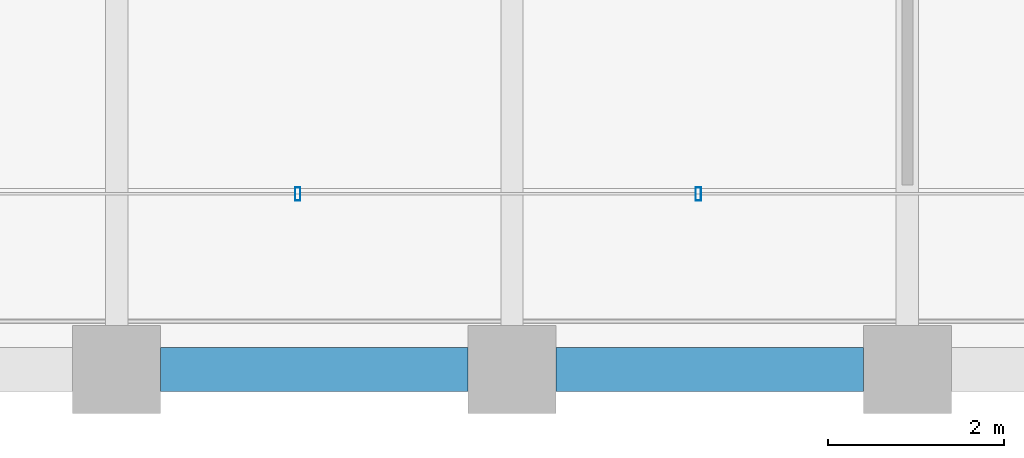
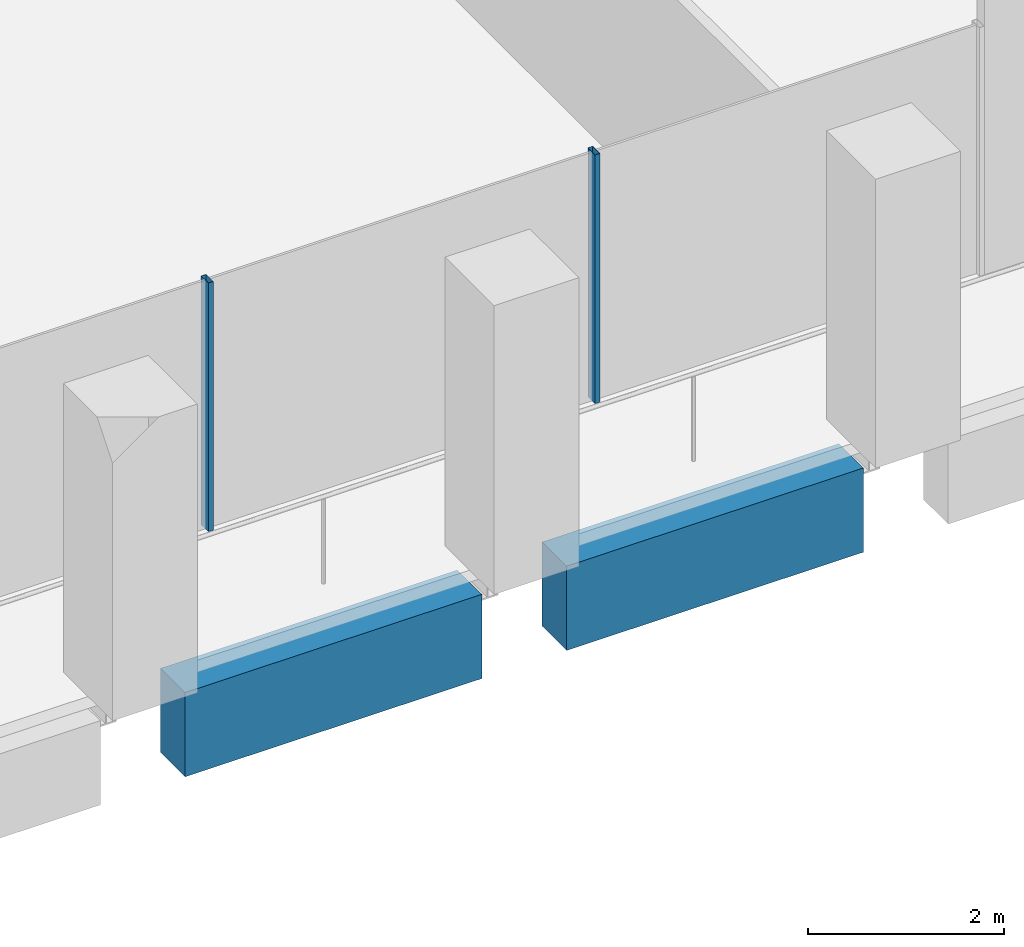
# One storey, part 3 of 46: 2 beams, 2 members, 1 element without a shape of its own.
"""IFC4 building model written with IfcOpenShell, lengths in metres."""

from ifc_helpers import new_model, si_unit, direction, frame, origin, origin_2d, place, context, subcontext, project, spatial, rectangle, hollow_rectangle, extrude, material, material_profile, profile_set, type_object, element, aggregate, save


model = new_model("IFC4")

# Units and contexts
model_context = context("Model", 3, precision=1e-05, world=origin(), true_north=direction((0.0, 1.0)))
body_context = subcontext(model_context, "Body", "Model", "MODEL_VIEW")
ifc_project = project(units=[si_unit("LENGTHUNIT", "METRE"), si_unit("AREAUNIT", "SQUARE_METRE"), si_unit("VOLUMEUNIT", "CUBIC_METRE"), si_unit("PLANEANGLEUNIT", "RADIAN"), si_unit("MASSUNIT", "GRAM", prefix="KILO")], contexts=[model_context])

# Site, building, storey
site_placement = place(None, origin())
site = spatial("IfcSite", under=ifc_project, at=site_placement, CompositionType="ELEMENT")
building_placement = place(site_placement, origin())
building = spatial("IfcBuilding", under=site, at=building_placement, Name="Altepetl Exchange Towers", CompositionType="ELEMENT")
storey_placement = place(building_placement, frame((0.0, 0.0, 106.39990234375)))
storey = spatial("IfcBuildingStorey", under=building, at=storey_placement, Name="L26", CompositionType="ELEMENT", Elevation=106.39990234375)

# Curtain wall, members
ifc_material_1 = material(Name="Aluminium 6063-T6 glazing", Category="aluminium")
curtain_wall_type = type_object("IfcCurtainWallType", Name="Loggia glazing system", PredefinedType="NOTDEFINED", material=ifc_material_1)
curtain_wall_placement = place(storey_placement, origin())
curtain_wall = element("IfcCurtainWall", 1, at=curtain_wall_placement, inside=storey, type_object=curtain_wall_type, Name="CW1 run", PredefinedType="NOTDEFINED")
ifc_material_2 = material(Name="Aluminium 6063-T6", Category="aluminium")
ifc_material_profile_1 = material_profile(ifc_material_2, hollow_rectangle(XDim=0.06005859375, YDim=0.14990234375, WallThickness=0.0029296875, at=origin_2d()), Name="Mullion 60x150 aluminium")
ifc_profile_set_1 = profile_set([ifc_material_profile_1], Name="Aluminium 6063-T6")
member_type = type_object("IfcMemberType", Name="Mullion 60x150 aluminium", PredefinedType="MULLION", material=ifc_profile_set_1)
member_1_placement = place(storey_placement, frame((38.060791015625, 29.0, 0.0)))
member_1 = element("IfcMember", 2, at=member_1_placement, type_object=member_type, Name="MU1 mullion", PredefinedType="MULLION", context=body_context, shape_type="SweptSolid", body=[
    extrude(hollow_rectangle(XDim=0.06005859375, YDim=0.14990234375, WallThickness=0.0029296875, at=origin_2d()), origin(), (0.0, 0.0, 1.0), 3.10009765625),
])
member_2_placement = place(storey_placement, frame((42.621337890625, 29.0, 0.0)))
member_2 = element("IfcMember", 3, at=member_2_placement, type_object=member_type, Name="MU1 mullion", PredefinedType="MULLION", context=body_context, shape_type="SweptSolid", body=[
    extrude(hollow_rectangle(XDim=0.06005859375, YDim=0.14990234375, WallThickness=0.0029296875, at=origin_2d()), origin(), (0.0, 0.0, 1.0), 3.10009765625),
])
aggregate(curtain_wall, [member_1, member_2])

# Beams
ifc_material_3 = material(Name="Concrete C50/60 precast with cantera blanca facing", Category="concrete")
ifc_material_profile_2 = material_profile(ifc_material_3, rectangle(XDim=0.5, YDim=1.050048828125, at=origin_2d()), Name="500 x 1050")
ifc_profile_set_2 = profile_set([ifc_material_profile_2], Name="Concrete C50/60 precast with cantera blanca facing")
beam_type = type_object("IfcBeamType", Name="Spandrel beam 500x1050 cantera blanca", PredefinedType="SPANDREL", material=ifc_profile_set_2)
for number, where, z_axis, x_axis, name in (
    (4, (36.5, 27.0, -0.6748046875), (1.0, 0.0, 0.0), (0.0, 1.0, 0.0), "sp:A:L26:001"),
    (5, (41.0, 27.0, -0.6748046875), (1.0, 0.0, 0.0), (0.0, 1.0, 0.0), "sp:A:L26:002"),
):
    element("IfcBeam", number, at=place(storey_placement, frame(where, z_axis=z_axis, x_axis=x_axis)), inside=storey, type_object=beam_type, Name=name, PredefinedType="SPANDREL", context=body_context, shape_type="SweptSolid", body=[
        extrude(rectangle(XDim=0.5, YDim=1.050048828125, at=origin_2d()), origin(), (0.0, 0.0, 1.0), 3.5),
    ])

save(model, "model.ifc")
